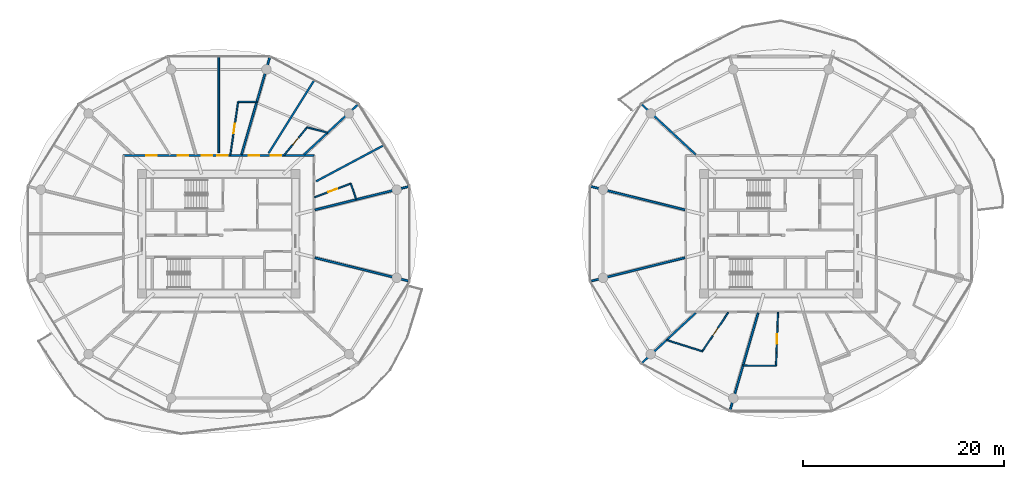
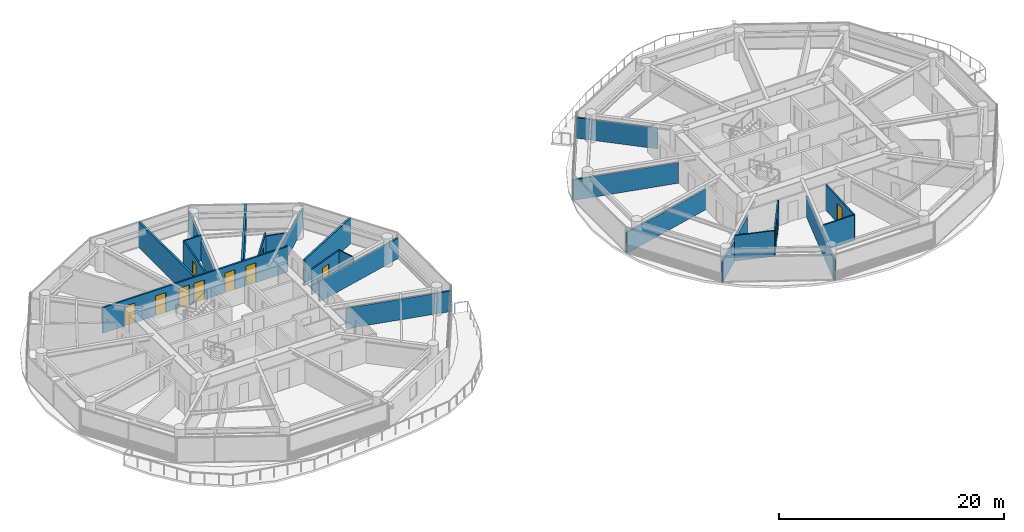
# One storey, part 17 of 26: 23 walls, 11 doors, 11 openings.
"""IFC4 building model written with IfcOpenShell, lengths in metres."""

from ifc_helpers import new_model, si_unit, direction, frame, frame_2d, origin, place, context, subcontext, project, spatial, rectangle, extrude, source, transform, mapped, material, layer, layer_set, type_object, type_shapes, element, fill, save


model = new_model("IFC4")

# Units and contexts
model_context = context("Model", 3, precision=1e-05, world=origin(), true_north=direction((0.0, 1.0)))
body_context = subcontext(model_context, "Body", "Model", "MODEL_VIEW")
ifc_project = project(units=[si_unit("LENGTHUNIT", "METRE"), si_unit("AREAUNIT", "SQUARE_METRE"), si_unit("VOLUMEUNIT", "CUBIC_METRE"), si_unit("PLANEANGLEUNIT", "RADIAN"), si_unit("MASSUNIT", "GRAM", prefix="KILO")], contexts=[model_context])

# Site, building, storey
site_placement = place(None, origin())
site = spatial("IfcSite", under=ifc_project, at=site_placement, CompositionType="ELEMENT")
building_placement = place(site_placement, origin())
building = spatial("IfcBuilding", under=site, at=building_placement, Name="Norrkilde Senior Care Towers", CompositionType="ELEMENT")
storey_placement = place(building_placement, frame((0.0, 0.0, 55.14990234375)))
storey = spatial("IfcBuildingStorey", under=building, at=storey_placement, Name="L16", CompositionType="ELEMENT", Elevation=55.14990234375)

# Wall, openings, doors
ifc_material_1 = material(Name="Gypsum Acoustic Board")
ifc_layer_1 = layer(ifc_material_1, 0.1650390625)
ifc_layer_set_1 = layer_set([ifc_layer_1], Name="Gypsum Acoustic Board")
wall_type_1 = type_object("IfcWallType", Name="Corridor Rated Partition 165", PredefinedType="PARTITIONING", material=ifc_layer_set_1)
shared_shape_1 = source(origin(), body_context, "Body", "SweptSolid", [
    extrude(rectangle(XDim=19.0, YDim=0.1650390625, at=frame_2d((9.5, 0.0))), origin(), (0.0, 0.0, 1.0), 2.775146484375),
])
type_shapes(wall_type_1, [shared_shape_1])
wall_1_placement = place(storey_placement, frame((-37.5, 7.800048828125, 0.0), z_axis=(0.0, 0.0, 1.0), x_axis=(1.0, 0.0, 0.0)))
wall_1 = element("IfcWall", 1, at=wall_1_placement, inside=storey, type_object=wall_type_1, Name="WL-INT-L16-W-CRW-N-0", PredefinedType="PARTITIONING", context=body_context, shape_type="MappedRepresentation", body=[
    mapped(shared_shape_1, transform((0.0, 0.0, 0.0), x_axis=(1.0, 0.0, 0.0), y_axis=(0.0, 1.0, 0.0), z_axis=(0.0, 0.0, 1.0), scale=1.0)),
])
opening_1_placement = place(wall_1_placement, frame((14.6533203125, 0.0, 0.0)))
opening_1 = element("IfcOpeningElement", 2, at=opening_1_placement, cuts=wall_1, Name="Opening D-06", PredefinedType="OPENING", context=body_context, shape_type="SweptSolid", body=[
    extrude(rectangle(XDim=1.050048828125, YDim=2.14990234375, at=frame_2d((0.52490234375, 1.074951171875))), frame((0.0, 0.092529296875, 0.0), z_axis=(0.0, -1.0, 0.0), x_axis=(1.0, 0.0, 0.0)), (0.0, 0.0, 1.0), 0.18505859375),
])
opening_2_placement = place(wall_1_placement, frame((12.499755859375, 0.0, 0.0)))
opening_2 = element("IfcOpeningElement", 3, at=opening_2_placement, cuts=wall_1, Name="Opening D-06", PredefinedType="OPENING", context=body_context, shape_type="SweptSolid", body=[
    extrude(rectangle(XDim=1.050048828125, YDim=2.14990234375, at=frame_2d((0.52490234375, 1.074951171875))), frame((0.0, 0.092529296875, 0.0), z_axis=(0.0, -1.0, 0.0), x_axis=(1.0, 0.0, 0.0)), (0.0, 0.0, 1.0), 0.18505859375),
])
opening_3_placement = place(wall_1_placement, frame((9.351806640625, 0.0, 0.0)))
opening_3 = element("IfcOpeningElement", 4, at=opening_3_placement, cuts=wall_1, Name="Opening D-06", PredefinedType="OPENING", context=body_context, shape_type="SweptSolid", body=[
    extrude(rectangle(XDim=1.050048828125, YDim=2.14990234375, at=frame_2d((0.52490234375, 1.074951171875))), frame((0.0, 0.092529296875, 0.0), z_axis=(0.0, -1.0, 0.0), x_axis=(1.0, 0.0, 0.0)), (0.0, 0.0, 1.0), 0.18505859375),
])
opening_4_placement = place(wall_1_placement, frame((7.806396484375, 0.0, 0.0)))
opening_4 = element("IfcOpeningElement", 5, at=opening_4_placement, cuts=wall_1, Name="Opening D-06", PredefinedType="OPENING", context=body_context, shape_type="SweptSolid", body=[
    extrude(rectangle(XDim=1.050048828125, YDim=2.14990234375, at=frame_2d((0.52490234375, 1.074951171875))), frame((0.0, 0.092529296875, 0.0), z_axis=(0.0, -1.0, 0.0), x_axis=(1.0, 0.0, 0.0)), (0.0, 0.0, 1.0), 0.18505859375),
])
opening_5_placement = place(wall_1_placement, frame((5.396240234375, 0.0, 0.0)))
opening_5 = element("IfcOpeningElement", 6, at=opening_5_placement, cuts=wall_1, Name="Opening D-06", PredefinedType="OPENING", context=body_context, shape_type="SweptSolid", body=[
    extrude(rectangle(XDim=1.050048828125, YDim=2.14990234375, at=frame_2d((0.52490234375, 1.074951171875))), frame((0.0, 0.092529296875, 0.0), z_axis=(0.0, -1.0, 0.0), x_axis=(1.0, 0.0, 0.0)), (0.0, 0.0, 1.0), 0.18505859375),
])
opening_6_placement = place(wall_1_placement, frame((2.2509765625, 0.0, 0.0)))
opening_6 = element("IfcOpeningElement", 7, at=opening_6_placement, cuts=wall_1, Name="Opening D-06", PredefinedType="OPENING", context=body_context, shape_type="SweptSolid", body=[
    extrude(rectangle(XDim=1.050048828125, YDim=2.14990234375, at=frame_2d((0.52490234375, 1.074951171875))), frame((0.0, 0.092529296875, 0.0), z_axis=(0.0, -1.0, 0.0), x_axis=(1.0, 0.0, 0.0)), (0.0, 0.0, 1.0), 0.18505859375),
])
ifc_material_2 = material(Name="Nordic Ash Timber", Category="wood")
door_type_1 = type_object("IfcDoorType", Name="Apartment Entrance Fire Door 1050x2150", OperationType="NOTDEFINED", PredefinedType="DOOR", material=ifc_material_2)
shared_shape_2 = source(origin(), body_context, "Body", "SweptSolid", [
    extrude(rectangle(XDim=1.050048828125, YDim=2.14990234375, at=frame_2d((0.52490234375, 1.074951171875))), frame((0.0, 0.02490234375, 0.0), z_axis=(0.0, -1.0, 0.0), x_axis=(1.0, 0.0, 0.0)), (0.0, 0.0, 1.0), 0.050048828125),
])
type_shapes(door_type_1, [shared_shape_2])
door_1_placement = place(opening_1_placement, frame((1.050048828125, 0.0, 0.0), z_axis=(0.0, 0.0, 1.0), x_axis=(-1.0, 0.0, 0.0)))
door_1 = element("IfcDoor", 8, at=door_1_placement, inside=storey, type_object=door_type_1, Name="L16 Care Suite 1601A Entrance Door", OperationType="SINGLE_SWING_RIGHT", OverallHeight=2.14990234375, OverallWidth=1.050048828125, PredefinedType="DOOR", context=body_context, shape_type="MappedRepresentation", body=[
    mapped(shared_shape_2, transform((0.0, 0.0, 0.0), x_axis=(1.0, 0.0, 0.0), y_axis=(0.0, 1.0, 0.0), z_axis=(0.0, 0.0, 1.0), scale=1.0)),
])
fill(opening_1, door_1)
door_2_placement = place(opening_2_placement, frame((1.050048828125, 0.0, 0.0), z_axis=(0.0, 0.0, 1.0), x_axis=(-1.0, 0.0, 0.0)))
door_2 = element("IfcDoor", 9, at=door_2_placement, inside=storey, type_object=door_type_1, Name="L16 Therapy Day Lounge 01 Door", OperationType="SINGLE_SWING_LEFT", OverallHeight=2.14990234375, OverallWidth=1.050048828125, PredefinedType="DOOR", context=body_context, shape_type="MappedRepresentation", body=[
    mapped(shared_shape_2, transform((0.0, 0.0, 0.0), x_axis=(1.0, 0.0, 0.0), y_axis=(0.0, 1.0, 0.0), z_axis=(0.0, 0.0, 1.0), scale=1.0)),
])
fill(opening_2, door_2)
door_3_placement = place(opening_3_placement, frame((1.050048828125, 0.0, 0.0), z_axis=(0.0, 0.0, 1.0), x_axis=(-1.0, 0.0, 0.0)))
door_3 = element("IfcDoor", 10, at=door_3_placement, inside=storey, type_object=door_type_1, Name="L16 Care Suite 1602A Entrance Door", OperationType="SINGLE_SWING_LEFT", OverallHeight=2.14990234375, OverallWidth=1.050048828125, PredefinedType="DOOR", context=body_context, shape_type="MappedRepresentation", body=[
    mapped(shared_shape_2, transform((0.0, 0.0, 0.0), x_axis=(1.0, 0.0, 0.0), y_axis=(0.0, 1.0, 0.0), z_axis=(0.0, 0.0, 1.0), scale=1.0)),
])
fill(opening_3, door_3)
door_4_placement = place(opening_4_placement, frame((1.050048828125, 0.0, 0.0), z_axis=(0.0, 0.0, 1.0), x_axis=(-1.0, 0.0, 0.0)))
door_4 = element("IfcDoor", 11, at=door_4_placement, inside=storey, type_object=door_type_1, Name="L16 Therapy Day Lounge 02 Door", OperationType="SINGLE_SWING_RIGHT", OverallHeight=2.14990234375, OverallWidth=1.050048828125, PredefinedType="DOOR", context=body_context, shape_type="MappedRepresentation", body=[
    mapped(shared_shape_2, transform((0.0, 0.0, 0.0), x_axis=(1.0, 0.0, 0.0), y_axis=(0.0, 1.0, 0.0), z_axis=(0.0, 0.0, 1.0), scale=1.0)),
])
fill(opening_4, door_4)
door_5_placement = place(opening_5_placement, frame((1.050048828125, 0.0, 0.0), z_axis=(0.0, 0.0, 1.0), x_axis=(-1.0, 0.0, 0.0)))
door_5 = element("IfcDoor", 12, at=door_5_placement, inside=storey, type_object=door_type_1, Name="L16 Physiotherapy Clinic 3A Door", OperationType="SINGLE_SWING_RIGHT", OverallHeight=2.14990234375, OverallWidth=1.050048828125, PredefinedType="DOOR", context=body_context, shape_type="MappedRepresentation", body=[
    mapped(shared_shape_2, transform((0.0, 0.0, 0.0), x_axis=(1.0, 0.0, 0.0), y_axis=(0.0, 1.0, 0.0), z_axis=(0.0, 0.0, 1.0), scale=1.0)),
])
fill(opening_5, door_5)
door_6_placement = place(opening_6_placement, frame((1.050048828125, 0.0, 0.0), z_axis=(0.0, 0.0, 1.0), x_axis=(-1.0, 0.0, 0.0)))
door_6 = element("IfcDoor", 13, at=door_6_placement, inside=storey, type_object=door_type_1, Name="L16 Assessment Clinic 3B Door", OperationType="SINGLE_SWING_LEFT", OverallHeight=2.14990234375, OverallWidth=1.050048828125, PredefinedType="DOOR", context=body_context, shape_type="MappedRepresentation", body=[
    mapped(shared_shape_2, transform((0.0, 0.0, 0.0), x_axis=(1.0, 0.0, 0.0), y_axis=(0.0, 1.0, 0.0), z_axis=(0.0, 0.0, 1.0), scale=1.0)),
])
fill(opening_6, door_6)

# Walls
ifc_layer_2 = layer(ifc_material_1, 0.18994140625)
ifc_layer_set_2 = layer_set([ifc_layer_2], Name="Gypsum Acoustic Board")
wall_type_2 = type_object("IfcWallType", Name="Unit Demising Acoustic Wall 190", PredefinedType="PARTITIONING", material=ifc_layer_set_2)
shared_shape_3 = source(origin(), body_context, "Body", "SweptSolid", [
    extrude(rectangle(XDim=7.4345703125, YDim=0.18994140625, at=frame_2d((3.71728515625, 0.0))), origin(), (0.0, 0.0, 1.0), 2.22509765625),
])
for number, where, z_axis, x_axis, name in (
    (14, (-19.51708984375, 7.8798828125, 0.0), (0.0, 0.0, 1.0), (0.732651956848, 0.680603489652, 0.0), "WL-INT-L16-W-DEM-01-0"),
    (15, (19.51708984375, 7.8798828125, 0.0), (0.0, 0.0, 1.0), (-0.732651956848, 0.680603489652, 0.0), "WL-INT-L16-E-DEM-04-0"),
    (16, (19.51708984375, -7.8798828125, 0.0), (0.0, 0.0, 1.0), (-0.732651956848, -0.680603489652, 0.0), "WL-INT-L16-E-DEM-07-0"),
):
    element("IfcWall", number, at=place(storey_placement, frame(where, z_axis=z_axis, x_axis=x_axis)), inside=storey, type_object=wall_type_2, Name=name, PredefinedType="PARTITIONING", context=body_context, shape_type="MappedRepresentation", body=[
        mapped(shared_shape_3, transform((0.0, 0.0, 0.0), x_axis=(1.0, 0.0, 0.0), y_axis=(0.0, 1.0, 0.0), z_axis=(0.0, 0.0, 1.0), scale=1.0)),
    ])
shared_shape_4 = source(origin(), body_context, "Body", "SweptSolid", [
    extrude(rectangle(XDim=10.196044921875, YDim=0.18994140625, at=frame_2d((5.09814453125, 0.0))), origin(), (0.0, 0.0, 1.0), 2.22509765625),
])
for number, where, z_axis, x_axis, name in (
    (17, (-25.72705078125, 7.8798828125, 0.0), (0.0, 0.0, 1.0), (0.277136420347, 0.960830580549, 0.0), "WL-INT-L16-W-DEM-02-0"),
    (18, (25.72705078125, -7.8798828125, 0.0), (0.0, 0.0, 1.0), (-0.277136420347, -0.960830580549, 0.0), "WL-INT-L16-E-DEM-08-0"),
):
    element("IfcWall", number, at=place(storey_placement, frame(where, z_axis=z_axis, x_axis=x_axis)), inside=storey, type_object=wall_type_2, Name=name, PredefinedType="PARTITIONING", context=body_context, shape_type="MappedRepresentation", body=[
        mapped(shared_shape_4, transform((0.0, 0.0, 0.0), x_axis=(1.0, 0.0, 0.0), y_axis=(0.0, 1.0, 0.0), z_axis=(0.0, 0.0, 1.0), scale=1.0)),
    ])
shared_shape_5 = source(origin(), body_context, "Body", "SweptSolid", [
    extrude(rectangle(XDim=8.59814453125, YDim=0.18994140625, at=frame_2d((4.299072265625, 0.0))), origin(), (0.0, 0.0, 1.0), 2.775146484375),
])
wall_2_placement = place(storey_placement, frame((-23.04296875, 8.017333984375, 0.0), z_axis=(0.0, 0.0, 1.0), x_axis=(0.530039776395, 0.847972779893, 0.0)))
element("IfcWall", 19, at=wall_2_placement, inside=storey, type_object=wall_type_2, Name="WL-INT-L16-W-CMID-01", PredefinedType="PARTITIONING", context=body_context, shape_type="MappedRepresentation", body=[
    mapped(shared_shape_5, transform((0.0, 0.0, 0.0), x_axis=(1.0, 0.0, 0.0), y_axis=(0.0, 1.0, 0.0), z_axis=(0.0, 0.0, 1.0), scale=1.0)),
])

# Wall, opening, door
ifc_layer_3 = layer(ifc_material_1, 0.139892578125)
ifc_layer_set_3 = layer_set([ifc_layer_3], Name="Gypsum Acoustic Board")
wall_type_3 = type_object("IfcWallType", Name="En-suite Wet Room Wall 140", PredefinedType="PARTITIONING", material=ifc_layer_set_3)
shared_shape_6 = source(origin(), body_context, "Body", "SweptSolid", [
    extrude(rectangle(XDim=3.594482421875, YDim=0.139892578125, at=frame_2d((1.79736328125, 0.0))), origin(), (0.0, 0.0, 1.0), 2.775146484375),
])
wall_3_placement = place(storey_placement, frame((-21.49560546875, 7.830078125, 0.0), z_axis=(0.0, 0.0, 1.0), x_axis=(0.639001147083, 0.769205781326, 0.0)))
wall_3 = element("IfcWall", 20, at=wall_3_placement, inside=storey, type_object=wall_type_3, Name="WL-INT-L16-W-ES-01A", PredefinedType="PARTITIONING", context=body_context, shape_type="MappedRepresentation", body=[
    mapped(shared_shape_6, transform((0.0, 0.0, 0.0), x_axis=(1.0, 0.0, 0.0), y_axis=(0.0, 1.0, 0.0), z_axis=(0.0, 0.0, 1.0), scale=1.0)),
])
opening_7_placement = place(wall_3_placement, frame((1.33740234375, 0.0, 0.0)))
opening_7 = element("IfcOpeningElement", 21, at=opening_7_placement, cuts=wall_3, Name="Opening D-08", PredefinedType="OPENING", context=body_context, shape_type="SweptSolid", body=[
    extrude(rectangle(XDim=0.919921875, YDim=2.10009765625, at=frame_2d((0.4599609375, 1.050048828125))), frame((0.0, 0.079833984375, 0.0), z_axis=(0.0, -1.0, 0.0), x_axis=(1.0, 0.0, 0.0)), (0.0, 0.0, 1.0), 0.159912109375),
])
door_type_2 = type_object("IfcDoorType", Name="Accessible Wet Room Door 920x2100", OperationType="NOTDEFINED", PredefinedType="DOOR", material=ifc_material_2)
shared_shape_7 = source(origin(), body_context, "Body", "SweptSolid", [
    extrude(rectangle(XDim=0.919921875, YDim=2.10009765625, at=frame_2d((0.4599609375, 1.050048828125))), frame((0.0, 0.02490234375, 0.0), z_axis=(0.0, -1.0, 0.0), x_axis=(1.0, 0.0, 0.0)), (0.0, 0.0, 1.0), 0.050048828125),
])
type_shapes(door_type_2, [shared_shape_7])
door_7_placement = place(opening_7_placement, origin())
door_7 = element("IfcDoor", 22, at=door_7_placement, inside=storey, type_object=door_type_2, Name="L16 Care Suite 1601A Bathroom Door", OperationType="SINGLE_SWING_LEFT", OverallHeight=2.10009765625, OverallWidth=0.919921875, PredefinedType="DOOR", context=body_context, shape_type="MappedRepresentation", body=[
    mapped(shared_shape_7, transform((0.0, 0.0, 0.0), x_axis=(1.0, 0.0, 0.0), y_axis=(0.0, 1.0, 0.0), z_axis=(0.0, 0.0, 1.0), scale=1.0)),
])
fill(opening_7, door_7)

# Walls
shared_shape_8 = source(origin(), body_context, "Body", "SweptSolid", [
    extrude(rectangle(XDim=2.06201171875, YDim=0.139892578125, at=frame_2d((1.031005859375, 0.0))), origin(), (0.0, 0.0, 1.0), 2.4150390625),
])
wall_4_placement = place(storey_placement, frame((-19.19873046875, 10.594970703125, 0.0), z_axis=(0.0, 0.0, 1.0), x_axis=(0.968776253543, -0.247936626121, 0.0)))
element("IfcWall", 23, at=wall_4_placement, inside=storey, type_object=wall_type_3, Name="WL-INT-L16-W-EF-01A", PredefinedType="PARTITIONING", context=body_context, shape_type="MappedRepresentation", body=[
    mapped(shared_shape_8, transform((0.0, 0.0, 0.0), x_axis=(1.0, 0.0, 0.0), y_axis=(0.0, 1.0, 0.0), z_axis=(0.0, 0.0, 1.0), scale=1.0)),
])
shared_shape_9 = source(origin(), body_context, "Body", "SweptSolid", [
    extrude(rectangle(XDim=9.737060546875, YDim=0.18994140625, at=frame_2d((4.86865234375, 0.0))), origin(), (0.0, 0.0, 1.0), 2.22509765625),
])
for number, where, z_axis, x_axis, name in (
    (24, (-18.419921875, -2.384521484375, 0.0), (0.0, 0.0, 1.0), (0.970392716238, -0.241532557375, 0.0), "WL-INT-L16-W-DEM-11-0"),
    (25, (-18.419921875, 2.384521484375, 0.0), (0.0, 0.0, 1.0), (0.970392716238, 0.241532557375, 0.0), "WL-INT-L16-W-DEM-00-0"),
    (26, (18.419921875, 2.384521484375, 0.0), (0.0, 0.0, 1.0), (-0.970392716238, 0.241532557375, 0.0), "WL-INT-L16-E-DEM-05-0"),
    (27, (18.419921875, -2.384521484375, 0.0), (0.0, 0.0, 1.0), (-0.970392716238, -0.241532557375, 0.0), "WL-INT-L16-E-DEM-06-0"),
):
    element("IfcWall", number, at=place(storey_placement, frame(where, z_axis=z_axis, x_axis=x_axis)), inside=storey, type_object=wall_type_2, Name=name, PredefinedType="PARTITIONING", context=body_context, shape_type="MappedRepresentation", body=[
        mapped(shared_shape_9, transform((0.0, 0.0, 0.0), x_axis=(1.0, 0.0, 0.0), y_axis=(0.0, 1.0, 0.0), z_axis=(0.0, 0.0, 1.0), scale=1.0)),
    ])
shared_shape_10 = source(origin(), body_context, "Body", "SweptSolid", [
    extrude(rectangle(XDim=7.6767578125, YDim=0.18994140625, at=frame_2d((3.83837890625, 0.0))), origin(), (0.0, 0.0, 1.0), 2.775146484375),
])
wall_5_placement = place(storey_placement, frame((-18.296875, 5.23095703125, 0.0), z_axis=(0.0, 0.0, 1.0), x_axis=(0.882725057546, 0.469889851753, 0.0)))
element("IfcWall", 28, at=wall_5_placement, inside=storey, type_object=wall_type_2, Name="WL-INT-L16-W-CMID-00", PredefinedType="PARTITIONING", context=body_context, shape_type="MappedRepresentation", body=[
    mapped(shared_shape_10, transform((0.0, 0.0, 0.0), x_axis=(1.0, 0.0, 0.0), y_axis=(0.0, 1.0, 0.0), z_axis=(0.0, 0.0, 1.0), scale=1.0)),
])

# Wall, opening, door
shared_shape_11 = source(origin(), body_context, "Body", "SweptSolid", [
    extrude(rectangle(XDim=3.8740234375, YDim=0.139892578125, at=frame_2d((1.93701171875, 0.0))), origin(), (0.0, 0.0, 1.0), 2.775146484375),
])
wall_6_placement = place(storey_placement, frame((-18.469970703125, 3.631591796875, 0.0), z_axis=(0.0, 0.0, 1.0), x_axis=(0.934461775659, 0.35606346321, 0.0)))
wall_6 = element("IfcWall", 29, at=wall_6_placement, inside=storey, type_object=wall_type_3, Name="WL-INT-L16-W-ES-00A", PredefinedType="PARTITIONING", context=body_context, shape_type="MappedRepresentation", body=[
    mapped(shared_shape_11, transform((0.0, 0.0, 0.0), x_axis=(1.0, 0.0, 0.0), y_axis=(0.0, 1.0, 0.0), z_axis=(0.0, 0.0, 1.0), scale=1.0)),
])
opening_8_placement = place(wall_6_placement, frame((1.47705078125, 0.0, 0.0)))
opening_8 = element("IfcOpeningElement", 30, at=opening_8_placement, cuts=wall_6, Name="Opening D-08", PredefinedType="OPENING", context=body_context, shape_type="SweptSolid", body=[
    extrude(rectangle(XDim=0.919921875, YDim=2.10009765625, at=frame_2d((0.4599609375, 1.050048828125))), frame((0.0, 0.079833984375, 0.0), z_axis=(0.0, -1.0, 0.0), x_axis=(1.0, 0.0, 0.0)), (0.0, 0.0, 1.0), 0.159912109375),
])
door_8_placement = place(opening_8_placement, origin())
door_8 = element("IfcDoor", 31, at=door_8_placement, inside=storey, type_object=door_type_2, Name="L16 Care Suite 1600A Bathroom Door", OperationType="SINGLE_SWING_RIGHT", OverallHeight=2.10009765625, OverallWidth=0.919921875, PredefinedType="DOOR", context=body_context, shape_type="MappedRepresentation", body=[
    mapped(shared_shape_7, transform((0.0, 0.0, 0.0), x_axis=(1.0, 0.0, 0.0), y_axis=(0.0, 1.0, 0.0), z_axis=(0.0, 0.0, 1.0), scale=1.0)),
])
fill(opening_8, door_8)

# Walls
shared_shape_12 = source(origin(), body_context, "Body", "SweptSolid", [
    extrude(rectangle(XDim=1.67578125, YDim=0.139892578125, at=frame_2d((0.837890625, 0.0))), origin(), (0.0, 0.0, 1.0), 2.775146484375),
])
wall_7_placement = place(storey_placement, frame((-14.849853515625, 5.010986328125, 0.0), z_axis=(0.0, 0.0, 1.0), x_axis=(0.327785970556, -0.944752008469, 0.0)))
element("IfcWall", 32, at=wall_7_placement, inside=storey, type_object=wall_type_3, Name="WL-INT-L16-W-EF-00A", PredefinedType="PARTITIONING", context=body_context, shape_type="MappedRepresentation", body=[
    mapped(shared_shape_12, transform((0.0, 0.0, 0.0), x_axis=(1.0, 0.0, 0.0), y_axis=(0.0, 1.0, 0.0), z_axis=(0.0, 0.0, 1.0), scale=1.0)),
])
shared_shape_13 = source(origin(), body_context, "Body", "SweptSolid", [
    extrude(rectangle(XDim=9.6005859375, YDim=0.18994140625, at=frame_2d((4.80029296875, 0.0))), origin(), (0.0, 0.0, 1.0), 2.775146484375),
])
type_shapes(wall_type_2, [shared_shape_3, shared_shape_4, shared_shape_5, shared_shape_9, shared_shape_10, shared_shape_13])
wall_8_placement = place(storey_placement, frame((-28.0, 8.075927734375, 0.0), z_axis=(0.0, 0.0, 1.0), x_axis=(0.0, 1.0, 0.0)))
element("IfcWall", 33, at=wall_8_placement, inside=storey, type_object=wall_type_2, Name="WL-INT-L16-W-CMID-02", PredefinedType="PARTITIONING", context=body_context, shape_type="MappedRepresentation", body=[
    mapped(shared_shape_13, transform((0.0, 0.0, 0.0), x_axis=(1.0, 0.0, 0.0), y_axis=(0.0, 1.0, 0.0), z_axis=(0.0, 0.0, 1.0), scale=1.0)),
])

# Wall, opening, door
shared_shape_14 = source(origin(), body_context, "Body", "SweptSolid", [
    extrude(rectangle(XDim=5.36962890625, YDim=0.139892578125, at=frame_2d((2.684814453125, 0.0))), origin(), (0.0, 0.0, 1.0), 2.775146484375),
])
wall_9_placement = place(storey_placement, frame((-26.851318359375, 7.830078125, 0.0), z_axis=(0.0, 0.0, 1.0), x_axis=(0.145131397853, 0.989412389935, 0.0)))
wall_9 = element("IfcWall", 34, at=wall_9_placement, inside=storey, type_object=wall_type_3, Name="WL-INT-L16-W-ES-02A", PredefinedType="PARTITIONING", context=body_context, shape_type="MappedRepresentation", body=[
    mapped(shared_shape_14, transform((0.0, 0.0, 0.0), x_axis=(1.0, 0.0, 0.0), y_axis=(0.0, 1.0, 0.0), z_axis=(0.0, 0.0, 1.0), scale=1.0)),
])
opening_9_placement = place(wall_9_placement, frame((2.224853515625, 0.0, 0.0)))
opening_9 = element("IfcOpeningElement", 35, at=opening_9_placement, cuts=wall_9, Name="Opening D-08", PredefinedType="OPENING", context=body_context, shape_type="SweptSolid", body=[
    extrude(rectangle(XDim=0.919921875, YDim=2.10009765625, at=frame_2d((0.4599609375, 1.050048828125))), frame((0.0, 0.079833984375, 0.0), z_axis=(0.0, -1.0, 0.0), x_axis=(1.0, 0.0, 0.0)), (0.0, 0.0, 1.0), 0.159912109375),
])
door_9_placement = place(opening_9_placement, origin())
door_9 = element("IfcDoor", 36, at=door_9_placement, inside=storey, type_object=door_type_2, Name="L16 Care Suite 1602A Bathroom Door", OperationType="SINGLE_SWING_RIGHT", OverallHeight=2.10009765625, OverallWidth=0.919921875, PredefinedType="DOOR", context=body_context, shape_type="MappedRepresentation", body=[
    mapped(shared_shape_7, transform((0.0, 0.0, 0.0), x_axis=(1.0, 0.0, 0.0), y_axis=(0.0, 1.0, 0.0), z_axis=(0.0, 0.0, 1.0), scale=1.0)),
])
fill(opening_9, door_9)

# Wall
shared_shape_15 = source(origin(), body_context, "Body", "SweptSolid", [
    extrude(rectangle(XDim=1.842529296875, YDim=0.139892578125, at=frame_2d((0.92138671875, 0.0))), origin(), (0.0, 0.0, 1.0), 2.775146484375),
])
wall_10_placement = place(storey_placement, frame((-26.072021484375, 13.142822265625, 0.0), z_axis=(0.0, 0.0, 1.0), x_axis=(0.999998937801, -0.001457531246, 0.0)))
element("IfcWall", 37, at=wall_10_placement, inside=storey, type_object=wall_type_3, Name="WL-INT-L16-W-EF-02A", PredefinedType="PARTITIONING", context=body_context, shape_type="MappedRepresentation", body=[
    mapped(shared_shape_15, transform((0.0, 0.0, 0.0), x_axis=(1.0, 0.0, 0.0), y_axis=(0.0, 1.0, 0.0), z_axis=(0.0, 0.0, 1.0), scale=1.0)),
])

# Wall, opening, door
shared_shape_16 = source(origin(), body_context, "Body", "SweptSolid", [
    extrude(rectangle(XDim=4.667724609375, YDim=0.139892578125, at=frame_2d((2.333984375, 0.0))), origin(), (0.0, 0.0, 1.0), 2.775146484375),
])
wall_11_placement = place(storey_placement, frame((22.76025390625, -7.830078125, 0.0), z_axis=(0.0, 0.0, 1.0), x_axis=(-0.55615986029, -0.83107533341, 0.0)))
wall_11 = element("IfcWall", 38, at=wall_11_placement, inside=storey, type_object=wall_type_3, Name="WL-INT-L16-E-ES-07", PredefinedType="PARTITIONING", context=body_context, shape_type="MappedRepresentation", body=[
    mapped(shared_shape_16, transform((0.0, 0.0, 0.0), x_axis=(1.0, 0.0, 0.0), y_axis=(0.0, 1.0, 0.0), z_axis=(0.0, 0.0, 1.0), scale=1.0)),
])
opening_10_placement = place(wall_11_placement, frame((1.873779296875, 0.0, 0.0)))
opening_10 = element("IfcOpeningElement", 39, at=opening_10_placement, cuts=wall_11, Name="Opening D-08", PredefinedType="OPENING", context=body_context, shape_type="SweptSolid", body=[
    extrude(rectangle(XDim=0.919921875, YDim=2.10009765625, at=frame_2d((0.4599609375, 1.050048828125))), frame((0.0, 0.079833984375, 0.0), z_axis=(0.0, -1.0, 0.0), x_axis=(1.0, 0.0, 0.0)), (0.0, 0.0, 1.0), 0.159912109375),
])
door_10_placement = place(opening_10_placement, origin())
door_10 = element("IfcDoor", 40, at=door_10_placement, inside=storey, type_object=door_type_2, Name="L16 Studio 16D Bathroom Door", OperationType="SINGLE_SWING_LEFT", OverallHeight=2.10009765625, OverallWidth=0.919921875, PredefinedType="DOOR", context=body_context, shape_type="MappedRepresentation", body=[
    mapped(shared_shape_7, transform((0.0, 0.0, 0.0), x_axis=(1.0, 0.0, 0.0), y_axis=(0.0, 1.0, 0.0), z_axis=(0.0, 0.0, 1.0), scale=1.0)),
])
fill(opening_10, door_10)

# Wall
shared_shape_17 = source(origin(), body_context, "Body", "SweptSolid", [
    extrude(rectangle(XDim=3.68408203125, YDim=0.139892578125, at=frame_2d((1.842041015625, 0.0))), origin(), (0.0, 0.0, 1.0), 2.775146484375),
])
wall_12_placement = place(storey_placement, frame((20.164306640625, -11.709228515625, 0.0), z_axis=(0.0, 0.0, 1.0), x_axis=(-0.953245538614, 0.302196861518, 0.0)))
element("IfcWall", 41, at=wall_12_placement, inside=storey, type_object=wall_type_3, Name="WL-INT-L16-E-EF-07", PredefinedType="PARTITIONING", context=body_context, shape_type="MappedRepresentation", body=[
    mapped(shared_shape_17, transform((0.0, 0.0, 0.0), x_axis=(1.0, 0.0, 0.0), y_axis=(0.0, 1.0, 0.0), z_axis=(0.0, 0.0, 1.0), scale=1.0)),
])

# Wall, opening, door
shared_shape_18 = source(origin(), body_context, "Body", "SweptSolid", [
    extrude(rectangle(XDim=5.31640625, YDim=0.139892578125, at=frame_2d((2.658203125, 0.0))), origin(), (0.0, 0.0, 1.0), 2.775146484375),
])
wall_13_placement = place(storey_placement, frame((27.707275390625, -7.830078125, 0.0), z_axis=(0.0, 0.0, 1.0), x_axis=(-0.037380226447, -0.999301115115, 0.0)))
wall_13 = element("IfcWall", 42, at=wall_13_placement, inside=storey, type_object=wall_type_3, Name="WL-INT-L16-E-ES-08", PredefinedType="PARTITIONING", context=body_context, shape_type="MappedRepresentation", body=[
    mapped(shared_shape_18, transform((0.0, 0.0, 0.0), x_axis=(1.0, 0.0, 0.0), y_axis=(0.0, 1.0, 0.0), z_axis=(0.0, 0.0, 1.0), scale=1.0)),
])
opening_11_placement = place(wall_13_placement, frame((2.1982421875, 0.0, 0.0)))
opening_11 = element("IfcOpeningElement", 43, at=opening_11_placement, cuts=wall_13, Name="Opening D-08", PredefinedType="OPENING", context=body_context, shape_type="SweptSolid", body=[
    extrude(rectangle(XDim=0.919921875, YDim=2.10009765625, at=frame_2d((0.4599609375, 1.050048828125))), frame((0.0, 0.079833984375, 0.0), z_axis=(0.0, -1.0, 0.0), x_axis=(1.0, 0.0, 0.0)), (0.0, 0.0, 1.0), 0.159912109375),
])
door_11_placement = place(opening_11_placement, origin())
door_11 = element("IfcDoor", 44, at=door_11_placement, inside=storey, type_object=door_type_2, Name="L16 Studio 16E Bathroom Door", OperationType="SINGLE_SWING_RIGHT", OverallHeight=2.10009765625, OverallWidth=0.919921875, PredefinedType="DOOR", context=body_context, shape_type="MappedRepresentation", body=[
    mapped(shared_shape_7, transform((0.0, 0.0, 0.0), x_axis=(1.0, 0.0, 0.0), y_axis=(0.0, 1.0, 0.0), z_axis=(0.0, 0.0, 1.0), scale=1.0)),
])
fill(opening_11, door_11)

# Wall
shared_shape_19 = source(origin(), body_context, "Body", "SweptSolid", [
    extrude(rectangle(XDim=3.279052734375, YDim=0.139892578125, at=frame_2d((1.6396484375, 0.0))), origin(), (0.0, 0.0, 1.0), 2.775146484375),
])
type_shapes(wall_type_3, [shared_shape_6, shared_shape_8, shared_shape_11, shared_shape_12, shared_shape_14, shared_shape_15, shared_shape_16, shared_shape_17, shared_shape_18, shared_shape_19])
wall_14_placement = place(storey_placement, frame((27.508544921875, -13.142822265625, 0.0), z_axis=(0.0, 0.0, 1.0), x_axis=(-0.999999664619, 0.000819000544, 0.0)))
element("IfcWall", 45, at=wall_14_placement, inside=storey, type_object=wall_type_3, Name="WL-INT-L16-E-EF-08", PredefinedType="PARTITIONING", context=body_context, shape_type="MappedRepresentation", body=[
    mapped(shared_shape_19, transform((0.0, 0.0, 0.0), x_axis=(1.0, 0.0, 0.0), y_axis=(0.0, 1.0, 0.0), z_axis=(0.0, 0.0, 1.0), scale=1.0)),
])

save(model, "model.ifc")
